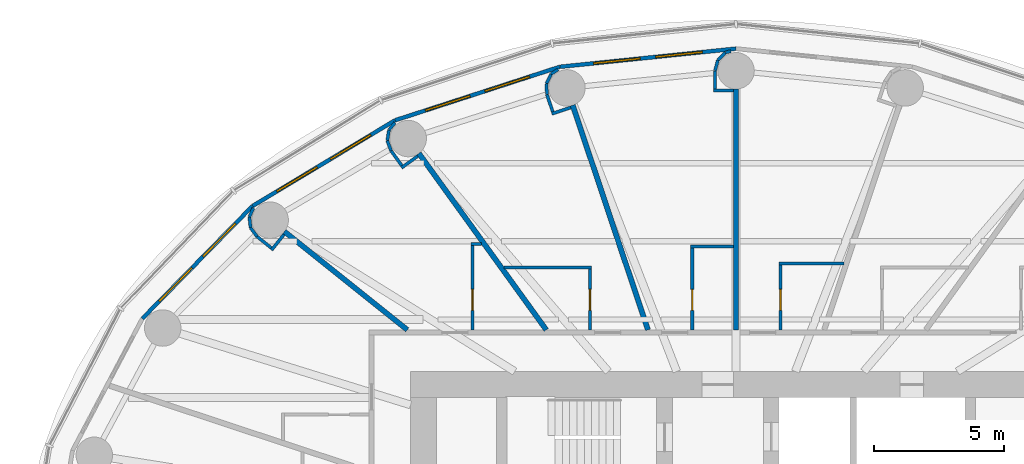
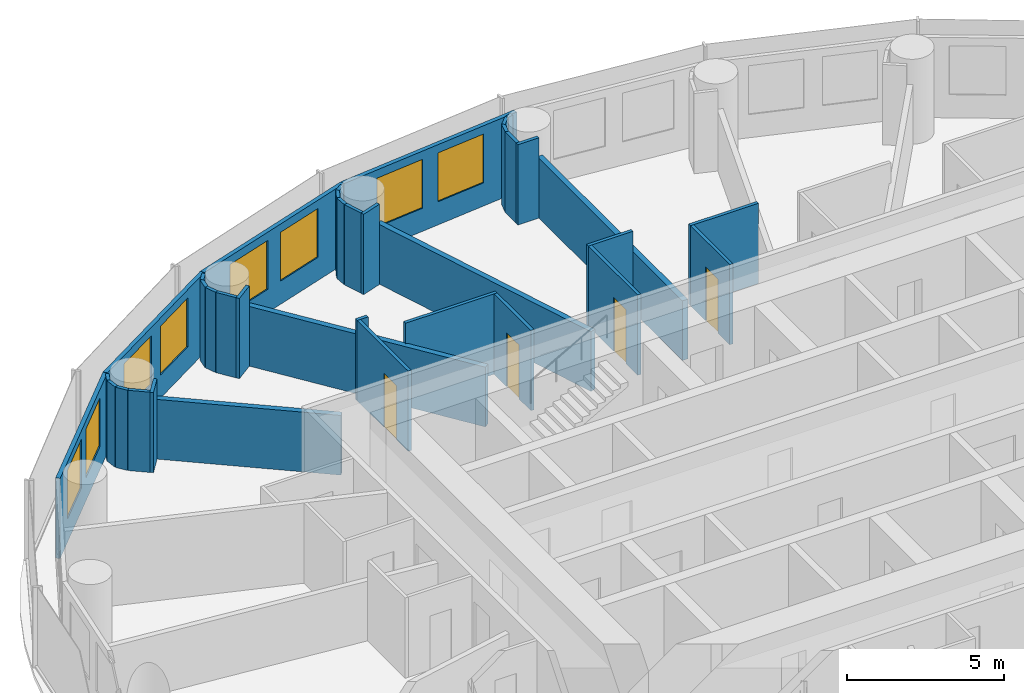
# One storey, part 11 of 13: 36 walls, 8 windows, 4 doors, 12 openings.
"""IFC4 building model written with IfcOpenShell, lengths in metres."""

from ifc_helpers import new_model, si_unit, direction, frame, frame_2d, origin, place, context, subcontext, project, spatial, rectangle, extrude, material, layer, layer_set, type_object, element, fill, save


model = new_model("IFC4")

# Units and contexts
model_context = context("Model", 3, precision=1e-05, world=origin(), true_north=direction((0.0, 1.0)))
body_context = subcontext(model_context, "Body", "Model", "MODEL_VIEW")
ifc_project = project(units=[si_unit("LENGTHUNIT", "METRE"), si_unit("AREAUNIT", "SQUARE_METRE"), si_unit("VOLUMEUNIT", "CUBIC_METRE"), si_unit("PLANEANGLEUNIT", "RADIAN"), si_unit("MASSUNIT", "GRAM", prefix="KILO")], contexts=[model_context])

# Site, building, storey
site_placement = place(None, origin())
site = spatial("IfcSite", under=ifc_project, at=site_placement, CompositionType="ELEMENT")
building_placement = place(site_placement, origin())
building = spatial("IfcBuilding", under=site, at=building_placement, Name="Hankou Lantern Tower", CompositionType="ELEMENT")
storey_placement = place(building_placement, frame((0.0, 0.0, 80.39990234375)))
storey = spatial("IfcBuildingStorey", under=building, at=storey_placement, Name="L20", CompositionType="ELEMENT", Elevation=80.39990234375)

# Wall, openings, windows
ifc_material_1 = material(Name="Aluminium spandrel panel on steel studs", Category="steel")
ifc_layer_1 = layer(ifc_material_1, 0.14990234375)
ifc_layer_set_1 = layer_set([ifc_layer_1], Name="Aluminium spandrel panel on steel studs")
wall_type_1 = type_object("IfcWallType", Name="EW1 INNER SKIN WALL 150", PredefinedType="ELEMENTEDWALL", material=ifc_layer_set_1)
wall_1_placement = place(storey_placement, frame((0.0, 20.89990234375, 0.0), z_axis=(0.0, 0.0, 1.0), x_axis=(-0.994721394369, -0.102612609291, 0.0)))
wall_1 = element("IfcWall", 1, at=wall_1_placement, inside=storey, type_object=wall_type_1, Name="Inner skin R07-R08 L20", PredefinedType="ELEMENTEDWALL", context=body_context, shape_type="SweptSolid", body=[
    extrude(rectangle(XDim=6.80224609375, YDim=0.14990234375, at=frame_2d((3.401123046875, 0.0))), origin(), (0.0, 0.0, 1.0), 3.1201171875),
])
opening_1_placement = place(wall_1_placement, frame((1.301025390625, 0.0, 0.89990234375)))
opening_1 = element("IfcOpeningElement", 2, at=opening_1_placement, cuts=wall_1, Name="Opening W1", PredefinedType="OPENING", context=body_context, shape_type="SweptSolid", body=[
    extrude(rectangle(XDim=1.800048828125, YDim=1.89990234375, at=frame_2d((0.89990234375, 0.949951171875))), frame((0.0, 0.0849609375, 0.0), z_axis=(0.0, -1.0, 0.0), x_axis=(1.0, 0.0, 0.0)), (0.0, 0.0, 1.0), 0.169921875),
])
opening_2_placement = place(wall_1_placement, frame((3.701171875, 0.0, 0.89990234375)))
opening_2 = element("IfcOpeningElement", 3, at=opening_2_placement, cuts=wall_1, Name="Opening W1", PredefinedType="OPENING", context=body_context, shape_type="SweptSolid", body=[
    extrude(rectangle(XDim=1.800048828125, YDim=1.89990234375, at=frame_2d((0.89990234375, 0.949951171875))), frame((0.0, 0.0849609375, 0.0), z_axis=(0.0, -1.0, 0.0), x_axis=(1.0, 0.0, 0.0)), (0.0, 0.0, 1.0), 0.169921875),
])
ifc_material_2 = material(Name="Aluminium framed double glazed window", Category="aluminium")
window_type = type_object("IfcWindowType", Name="W1 GUEST ROOM WINDOW 1800X1900", PartitioningType="DOUBLE_PANEL_VERTICAL", PredefinedType="WINDOW", material=ifc_material_2)
window_1_placement = place(opening_1_placement, origin())
window_1 = element("IfcWindow", 4, at=window_1_placement, inside=storey, type_object=window_type, Name="Window R07.1 L20", OverallHeight=1.89990234375, OverallWidth=1.800048828125, PartitioningType="SINGLE_PANEL", PredefinedType="WINDOW", context=body_context, shape_type="SweptSolid", body=[
    extrude(rectangle(XDim=1.800048828125, YDim=1.89990234375, at=frame_2d((0.89990234375, 0.949951171875))), frame((0.0, 0.030029296875, 0.0), z_axis=(0.0, -1.0, 0.0), x_axis=(1.0, 0.0, 0.0)), (0.0, 0.0, 1.0), 0.06005859375),
])
fill(opening_1, window_1)
window_2_placement = place(opening_2_placement, origin())
window_2 = element("IfcWindow", 5, at=window_2_placement, inside=storey, type_object=window_type, Name="Window R07.2 L20", OverallHeight=1.89990234375, OverallWidth=1.800048828125, PartitioningType="SINGLE_PANEL", PredefinedType="WINDOW", context=body_context, shape_type="SweptSolid", body=[
    extrude(rectangle(XDim=1.800048828125, YDim=1.89990234375, at=frame_2d((0.89990234375, 0.949951171875))), frame((0.0, 0.030029296875, 0.0), z_axis=(0.0, -1.0, 0.0), x_axis=(1.0, 0.0, 0.0)), (0.0, 0.0, 1.0), 0.06005859375),
])
fill(opening_2, window_2)

wall_2_placement = place(storey_placement, frame((-6.766357421875, 20.201904296875, 0.0), z_axis=(0.0, 0.0, 1.0), x_axis=(-0.951137534625, -0.308767534285, 0.0)))
wall_2 = element("IfcWall", 6, at=wall_2_placement, inside=storey, type_object=wall_type_1, Name="Inner skin R08-R09 L20", PredefinedType="ELEMENTEDWALL", context=body_context, shape_type="SweptSolid", body=[
    extrude(rectangle(XDim=6.6552734375, YDim=0.14990234375, at=frame_2d((3.32763671875, 0.0))), origin(), (0.0, 0.0, 1.0), 3.1201171875),
])
opening_3_placement = place(wall_2_placement, frame((1.2275390625, 0.0, 0.89990234375)))
opening_3 = element("IfcOpeningElement", 7, at=opening_3_placement, cuts=wall_2, Name="Opening W1", PredefinedType="OPENING", context=body_context, shape_type="SweptSolid", body=[
    extrude(rectangle(XDim=1.800048828125, YDim=1.89990234375, at=frame_2d((0.89990234375, 0.949951171875))), frame((0.0, 0.0849609375, 0.0), z_axis=(0.0, -1.0, 0.0), x_axis=(1.0, 0.0, 0.0)), (0.0, 0.0, 1.0), 0.169921875),
])
opening_4_placement = place(wall_2_placement, frame((3.627685546875, 0.0, 0.89990234375)))
opening_4 = element("IfcOpeningElement", 8, at=opening_4_placement, cuts=wall_2, Name="Opening W1", PredefinedType="OPENING", context=body_context, shape_type="SweptSolid", body=[
    extrude(rectangle(XDim=1.800048828125, YDim=1.89990234375, at=frame_2d((0.89990234375, 0.949951171875))), frame((0.0, 0.0849609375, 0.0), z_axis=(0.0, -1.0, 0.0), x_axis=(1.0, 0.0, 0.0)), (0.0, 0.0, 1.0), 0.169921875),
])
window_3_placement = place(opening_3_placement, origin())
window_3 = element("IfcWindow", 9, at=window_3_placement, inside=storey, type_object=window_type, Name="Window R08.1 L20", OverallHeight=1.89990234375, OverallWidth=1.800048828125, PartitioningType="SINGLE_PANEL", PredefinedType="WINDOW", context=body_context, shape_type="SweptSolid", body=[
    extrude(rectangle(XDim=1.800048828125, YDim=1.89990234375, at=frame_2d((0.89990234375, 0.949951171875))), frame((0.0, 0.030029296875, 0.0), z_axis=(0.0, -1.0, 0.0), x_axis=(1.0, 0.0, 0.0)), (0.0, 0.0, 1.0), 0.06005859375),
])
fill(opening_3, window_3)
window_4_placement = place(opening_4_placement, origin())
window_4 = element("IfcWindow", 10, at=window_4_placement, inside=storey, type_object=window_type, Name="Window R08.2 L20", OverallHeight=1.89990234375, OverallWidth=1.800048828125, PartitioningType="SINGLE_PANEL", PredefinedType="WINDOW", context=body_context, shape_type="SweptSolid", body=[
    extrude(rectangle(XDim=1.800048828125, YDim=1.89990234375, at=frame_2d((0.89990234375, 0.949951171875))), frame((0.0, 0.030029296875, 0.0), z_axis=(0.0, -1.0, 0.0), x_axis=(1.0, 0.0, 0.0)), (0.0, 0.0, 1.0), 0.06005859375),
])
fill(opening_4, window_4)

wall_3_placement = place(storey_placement, frame((-13.096435546875, 18.14697265625, 0.0), z_axis=(0.0, 0.0, 1.0), x_axis=(-0.856983180864, -0.515344377787, 0.0)))
wall_3 = element("IfcWall", 11, at=wall_3_placement, inside=storey, type_object=wall_type_1, Name="Inner skin R09-R10 L20", PredefinedType="ELEMENTEDWALL", context=body_context, shape_type="SweptSolid", body=[
    extrude(rectangle(XDim=6.386474609375, YDim=0.14990234375, at=frame_2d((3.193359375, 0.0))), origin(), (0.0, 0.0, 1.0), 3.1201171875),
])
opening_5_placement = place(wall_3_placement, frame((1.09326171875, 0.0, 0.89990234375)))
opening_5 = element("IfcOpeningElement", 12, at=opening_5_placement, cuts=wall_3, Name="Opening W1", PredefinedType="OPENING", context=body_context, shape_type="SweptSolid", body=[
    extrude(rectangle(XDim=1.800048828125, YDim=1.89990234375, at=frame_2d((0.89990234375, 0.949951171875))), frame((0.0, 0.0849609375, 0.0), z_axis=(0.0, -1.0, 0.0), x_axis=(1.0, 0.0, 0.0)), (0.0, 0.0, 1.0), 0.169921875),
])
opening_6_placement = place(wall_3_placement, frame((3.4931640625, 0.0, 0.89990234375)))
opening_6 = element("IfcOpeningElement", 13, at=opening_6_placement, cuts=wall_3, Name="Opening W1", PredefinedType="OPENING", context=body_context, shape_type="SweptSolid", body=[
    extrude(rectangle(XDim=1.800048828125, YDim=1.89990234375, at=frame_2d((0.89990234375, 0.949951171875))), frame((0.0, 0.0849609375, 0.0), z_axis=(0.0, -1.0, 0.0), x_axis=(1.0, 0.0, 0.0)), (0.0, 0.0, 1.0), 0.169921875),
])
window_5_placement = place(opening_5_placement, origin())
window_5 = element("IfcWindow", 14, at=window_5_placement, inside=storey, type_object=window_type, Name="Window R09.1 L20", OverallHeight=1.89990234375, OverallWidth=1.800048828125, PartitioningType="SINGLE_PANEL", PredefinedType="WINDOW", context=body_context, shape_type="SweptSolid", body=[
    extrude(rectangle(XDim=1.800048828125, YDim=1.89990234375, at=frame_2d((0.89990234375, 0.949951171875))), frame((0.0, 0.030029296875, 0.0), z_axis=(0.0, -1.0, 0.0), x_axis=(1.0, 0.0, 0.0)), (0.0, 0.0, 1.0), 0.06005859375),
])
fill(opening_5, window_5)
window_6_placement = place(opening_6_placement, origin())
window_6 = element("IfcWindow", 15, at=window_6_placement, inside=storey, type_object=window_type, Name="Window R09.2 L20", OverallHeight=1.89990234375, OverallWidth=1.800048828125, PartitioningType="SINGLE_PANEL", PredefinedType="WINDOW", context=body_context, shape_type="SweptSolid", body=[
    extrude(rectangle(XDim=1.800048828125, YDim=1.89990234375, at=frame_2d((0.89990234375, 0.949951171875))), frame((0.0, 0.030029296875, 0.0), z_axis=(0.0, -1.0, 0.0), x_axis=(1.0, 0.0, 0.0)), (0.0, 0.0, 1.0), 0.06005859375),
])
fill(opening_6, window_6)

wall_4_placement = place(storey_placement, frame((-18.569580078125, 14.855712890625, 0.0), z_axis=(0.0, 0.0, 1.0), x_axis=(-0.699602905915, -0.714531856557, 0.0)))
wall_4 = element("IfcWall", 16, at=wall_4_placement, inside=storey, type_object=wall_type_1, Name="Inner skin R10-R11 L20", PredefinedType="ELEMENTEDWALL", context=body_context, shape_type="SweptSolid", body=[
    extrude(rectangle(XDim=6.05078125, YDim=0.14990234375, at=frame_2d((3.025390625, 0.0))), origin(), (0.0, 0.0, 1.0), 3.1201171875),
])
opening_7_placement = place(wall_4_placement, frame((0.925537109375, 0.0, 0.89990234375)))
opening_7 = element("IfcOpeningElement", 17, at=opening_7_placement, cuts=wall_4, Name="Opening W1", PredefinedType="OPENING", context=body_context, shape_type="SweptSolid", body=[
    extrude(rectangle(XDim=1.800048828125, YDim=1.89990234375, at=frame_2d((0.89990234375, 0.949951171875))), frame((0.0, 0.0849609375, 0.0), z_axis=(0.0, -1.0, 0.0), x_axis=(1.0, 0.0, 0.0)), (0.0, 0.0, 1.0), 0.169921875),
])
opening_8_placement = place(wall_4_placement, frame((3.325439453125, 0.0, 0.89990234375)))
opening_8 = element("IfcOpeningElement", 18, at=opening_8_placement, cuts=wall_4, Name="Opening W1", PredefinedType="OPENING", context=body_context, shape_type="SweptSolid", body=[
    extrude(rectangle(XDim=1.800048828125, YDim=1.89990234375, at=frame_2d((0.89990234375, 0.949951171875))), frame((0.0, 0.0849609375, 0.0), z_axis=(0.0, -1.0, 0.0), x_axis=(1.0, 0.0, 0.0)), (0.0, 0.0, 1.0), 0.169921875),
])
window_7_placement = place(opening_7_placement, origin())
window_7 = element("IfcWindow", 19, at=window_7_placement, inside=storey, type_object=window_type, Name="Window R10.1 L20", OverallHeight=1.89990234375, OverallWidth=1.800048828125, PartitioningType="SINGLE_PANEL", PredefinedType="WINDOW", context=body_context, shape_type="SweptSolid", body=[
    extrude(rectangle(XDim=1.800048828125, YDim=1.89990234375, at=frame_2d((0.89990234375, 0.949951171875))), frame((0.0, 0.030029296875, 0.0), z_axis=(0.0, -1.0, 0.0), x_axis=(1.0, 0.0, 0.0)), (0.0, 0.0, 1.0), 0.06005859375),
])
fill(opening_7, window_7)
window_8_placement = place(opening_8_placement, origin())
window_8 = element("IfcWindow", 20, at=window_8_placement, inside=storey, type_object=window_type, Name="Window R10.2 L20", OverallHeight=1.89990234375, OverallWidth=1.800048828125, PartitioningType="SINGLE_PANEL", PredefinedType="WINDOW", context=body_context, shape_type="SweptSolid", body=[
    extrude(rectangle(XDim=1.800048828125, YDim=1.89990234375, at=frame_2d((0.89990234375, 0.949951171875))), frame((0.0, 0.030029296875, 0.0), z_axis=(0.0, -1.0, 0.0), x_axis=(1.0, 0.0, 0.0)), (0.0, 0.0, 1.0), 0.06005859375),
])
fill(opening_8, window_8)

# Walls
ifc_material_3 = material(Name="Masonry lightweight concrete block", Category="masonry")
ifc_layer_2 = layer(ifc_material_3, 0.199951171875)
ifc_layer_set_2 = layer_set([ifc_layer_2], Name="Masonry lightweight concrete block")
wall_type_2 = type_object("IfcWallType", Name="IW1 GUEST ROOM PARTY WALL 200", PredefinedType="PARTITIONING", material=ifc_layer_set_2)
wall_5_placement = place(storey_placement, frame((0.0, 10.10009765625, 0.0), z_axis=(0.0, 0.0, 1.0), x_axis=(0.0, 1.0, 0.0)))
element("IfcWall", 21, at=wall_5_placement, inside=storey, type_object=wall_type_2, Name="Party wall R07", PredefinedType="PARTITIONING", context=body_context, shape_type="SweptSolid", body=[
    extrude(rectangle(XDim=9.25, YDim=0.199951171875, at=frame_2d((4.625, 0.0))), origin(), (0.0, 0.0, 1.0), 2.320068359375),
])
wall_6_placement = place(storey_placement, frame((-3.3828125, 10.10009765625, 0.0), z_axis=(0.0, 0.0, 1.0), x_axis=(-0.31759592231, 0.948226149256, 0.0)))
element("IfcWall", 22, at=wall_6_placement, inside=storey, type_object=wall_type_2, Name="Party wall R08", PredefinedType="PARTITIONING", context=body_context, shape_type="SweptSolid", body=[
    extrude(rectangle(XDim=9.098388671875, YDim=0.199951171875, at=frame_2d((4.54931640625, 0.0))), origin(), (0.0, 0.0, 1.0), 2.320068359375),
])
wall_7_placement = place(storey_placement, frame((-7.2890625, 10.10009765625, 0.0), z_axis=(0.0, 0.0, 1.0), x_axis=(-0.585198353053, 0.810890182197, 0.0)))
element("IfcWall", 23, at=wall_7_placement, inside=storey, type_object=wall_type_2, Name="Party wall R09", PredefinedType="PARTITIONING", context=body_context, shape_type="SweptSolid", body=[
    extrude(rectangle(XDim=8.359619140625, YDim=0.199951171875, at=frame_2d((4.1796875, 0.0))), origin(), (0.0, 0.0, 1.0), 2.320068359375),
])
wall_8_placement = place(storey_placement, frame((-12.625, 10.10009765625, 0.0), z_axis=(0.0, 0.0, 1.0), x_axis=(-0.780892451574, 0.624665493744, 0.0)))
element("IfcWall", 24, at=wall_8_placement, inside=storey, type_object=wall_type_2, Name="Party wall R10", PredefinedType="PARTITIONING", context=body_context, shape_type="SweptSolid", body=[
    extrude(rectangle(XDim=6.044677734375, YDim=0.199951171875, at=frame_2d((3.0224609375, 0.0))), origin(), (0.0, 0.0, 1.0), 2.320068359375),
])
ifc_material_4 = material(Name="Masonry lightweight concrete block", Category="masonry")
ifc_layer_3 = layer(ifc_material_4, 0.1201171875)
ifc_layer_set_3 = layer_set([ifc_layer_3], Name="Masonry lightweight concrete block")
wall_type_3 = type_object("IfcWallType", Name="IW3 BATHROOM WALL 120", PredefinedType="PARTITIONING", material=ifc_layer_set_3)
wall_9_placement = place(storey_placement, frame((4.136962890625, 12.64990234375, 0.0), z_axis=(0.0, 0.0, 1.0), x_axis=(-1.0, 0.0, 0.0)))
element("IfcWall", 25, at=wall_9_placement, inside=storey, type_object=wall_type_3, Name="Box wall 2013 1", PredefinedType="PARTITIONING", context=body_context, shape_type="SweptSolid", body=[
    extrude(rectangle(XDim=2.494140625, YDim=0.1201171875, at=frame_2d((1.2470703125, 0.0))), origin(), (0.0, 0.0, 1.0), 3.1201171875),
])

# Wall, opening, door
wall_10_placement = place(storey_placement, frame((1.702880859375, 10.10009765625, 0.0), z_axis=(0.0, 0.0, 1.0), x_axis=(0.0, 1.0, 0.0)))
wall_10 = element("IfcWall", 26, at=wall_10_placement, inside=storey, type_object=wall_type_3, Name="Box wall 2013 1", PredefinedType="PARTITIONING", context=body_context, shape_type="SweptSolid", body=[
    extrude(rectangle(XDim=2.489990234375, YDim=0.1201171875, at=frame_2d((1.2451171875, 0.0))), origin(), (0.0, 0.0, 1.0), 3.1201171875),
])
opening_9_placement = place(wall_10_placement, frame((0.75, 0.0, 0.0)))
opening_9 = element("IfcOpeningElement", 27, at=opening_9_placement, cuts=wall_10, Name="Opening D3", PredefinedType="OPENING", context=body_context, shape_type="SweptSolid", body=[
    extrude(rectangle(XDim=0.800048828125, YDim=2.10009765625, at=frame_2d((0.39990234375, 1.050048828125))), frame((0.0, 0.070068359375, 0.0), z_axis=(0.0, -1.0, 0.0), x_axis=(1.0, 0.0, 0.0)), (0.0, 0.0, 1.0), 0.14013671875),
])
ifc_material_5 = material(Name="Timber door leaf", Category="wood")
door_type = type_object("IfcDoorType", Name="D3 BATHROOM DOOR 800X2100", OperationType="SINGLE_SWING_LEFT", PredefinedType="DOOR", material=ifc_material_5)
door_1_placement = place(opening_9_placement, origin())
door_1 = element("IfcDoor", 28, at=door_1_placement, inside=storey, type_object=door_type, Name="En-suite bathroom 2013 door", OperationType="SINGLE_SWING_LEFT", OverallHeight=2.10009765625, OverallWidth=0.800048828125, PredefinedType="DOOR", context=body_context, shape_type="SweptSolid", body=[
    extrude(rectangle(XDim=0.800048828125, YDim=2.10009765625, at=frame_2d((0.39990234375, 1.050048828125))), frame((0.0, 0.02490234375, 0.0), z_axis=(0.0, -1.0, 0.0), x_axis=(1.0, 0.0, 0.0)), (0.0, 0.0, 1.0), 0.050048828125),
])
fill(opening_9, door_1)

# Wall
wall_11_placement = place(storey_placement, frame((-0.10009765625, 13.300048828125, 0.0), z_axis=(0.0, 0.0, 1.0), x_axis=(-1.0, 0.0, 0.0)))
element("IfcWall", 29, at=wall_11_placement, inside=storey, type_object=wall_type_3, Name="Box wall 2014 1", PredefinedType="PARTITIONING", context=body_context, shape_type="SweptSolid", body=[
    extrude(rectangle(XDim=1.639892578125, YDim=0.1201171875, at=frame_2d((0.81982421875, 0.0))), origin(), (0.0, 0.0, 1.0), 3.1201171875),
])

# Wall, opening, door
wall_12_placement = place(storey_placement, frame((-1.679931640625, 10.10009765625, 0.0), z_axis=(0.0, 0.0, 1.0), x_axis=(0.0, 1.0, 0.0)))
wall_12 = element("IfcWall", 30, at=wall_12_placement, inside=storey, type_object=wall_type_3, Name="Box wall 2014 1", PredefinedType="PARTITIONING", context=body_context, shape_type="SweptSolid", body=[
    extrude(rectangle(XDim=3.139892578125, YDim=0.1201171875, at=frame_2d((1.56982421875, 0.0))), origin(), (0.0, 0.0, 1.0), 3.1201171875),
])
opening_10_placement = place(wall_12_placement, frame((0.75, 0.0, 0.0)))
opening_10 = element("IfcOpeningElement", 31, at=opening_10_placement, cuts=wall_12, Name="Opening D3", PredefinedType="OPENING", context=body_context, shape_type="SweptSolid", body=[
    extrude(rectangle(XDim=0.800048828125, YDim=2.10009765625, at=frame_2d((0.39990234375, 1.050048828125))), frame((0.0, 0.070068359375, 0.0), z_axis=(0.0, -1.0, 0.0), x_axis=(1.0, 0.0, 0.0)), (0.0, 0.0, 1.0), 0.14013671875),
])
door_2_placement = place(opening_10_placement, origin())
door_2 = element("IfcDoor", 32, at=door_2_placement, inside=storey, type_object=door_type, Name="En-suite bathroom 2014 door", OperationType="SINGLE_SWING_LEFT", OverallHeight=2.10009765625, OverallWidth=0.800048828125, PredefinedType="DOOR", context=body_context, shape_type="SweptSolid", body=[
    extrude(rectangle(XDim=0.800048828125, YDim=2.10009765625, at=frame_2d((0.39990234375, 1.050048828125))), frame((0.0, 0.02490234375, 0.0), z_axis=(0.0, -1.0, 0.0), x_axis=(1.0, 0.0, 0.0)), (0.0, 0.0, 1.0), 0.050048828125),
])
fill(opening_10, door_2)

# Wall
wall_13_placement = place(storey_placement, frame((-8.921142578125, 12.5, 0.0), z_axis=(0.0, 0.0, 1.0), x_axis=(1.0, 0.0, 0.0)))
element("IfcWall", 33, at=wall_13_placement, inside=storey, type_object=wall_type_3, Name="Box wall 2015 1", PredefinedType="PARTITIONING", context=body_context, shape_type="SweptSolid", body=[
    extrude(rectangle(XDim=3.3720703125, YDim=0.1201171875, at=frame_2d((1.68603515625, 0.0))), origin(), (0.0, 0.0, 1.0), 3.1201171875),
])

# Wall, opening, door
wall_14_placement = place(storey_placement, frame((-5.609130859375, 10.10009765625, 0.0), z_axis=(0.0, 0.0, 1.0), x_axis=(0.0, 1.0, 0.0)))
wall_14 = element("IfcWall", 34, at=wall_14_placement, inside=storey, type_object=wall_type_3, Name="Box wall 2015 1", PredefinedType="PARTITIONING", context=body_context, shape_type="SweptSolid", body=[
    extrude(rectangle(XDim=2.33984375, YDim=0.1201171875, at=frame_2d((1.169921875, 0.0))), origin(), (0.0, 0.0, 1.0), 3.1201171875),
])
opening_11_placement = place(wall_14_placement, frame((0.75, 0.0, 0.0)))
opening_11 = element("IfcOpeningElement", 35, at=opening_11_placement, cuts=wall_14, Name="Opening D3", PredefinedType="OPENING", context=body_context, shape_type="SweptSolid", body=[
    extrude(rectangle(XDim=0.800048828125, YDim=2.10009765625, at=frame_2d((0.39990234375, 1.050048828125))), frame((0.0, 0.070068359375, 0.0), z_axis=(0.0, -1.0, 0.0), x_axis=(1.0, 0.0, 0.0)), (0.0, 0.0, 1.0), 0.14013671875),
])
door_3_placement = place(opening_11_placement, origin())
door_3 = element("IfcDoor", 36, at=door_3_placement, inside=storey, type_object=door_type, Name="En-suite bathroom 2015 door", OperationType="SINGLE_SWING_LEFT", OverallHeight=2.10009765625, OverallWidth=0.800048828125, PredefinedType="DOOR", context=body_context, shape_type="SweptSolid", body=[
    extrude(rectangle(XDim=0.800048828125, YDim=2.10009765625, at=frame_2d((0.39990234375, 1.050048828125))), frame((0.0, 0.02490234375, 0.0), z_axis=(0.0, -1.0, 0.0), x_axis=(1.0, 0.0, 0.0)), (0.0, 0.0, 1.0), 0.050048828125),
])
fill(opening_11, door_3)

# Wall
wall_15_placement = place(storey_placement, frame((-9.7705078125, 13.39990234375, 0.0), z_axis=(0.0, 0.0, 1.0), x_axis=(-1.0, 0.0, 0.0)))
element("IfcWall", 37, at=wall_15_placement, inside=storey, type_object=wall_type_3, Name="Box wall 2016 1", PredefinedType="PARTITIONING", context=body_context, shape_type="SweptSolid", body=[
    extrude(rectangle(XDim=0.408447265625, YDim=0.1201171875, at=frame_2d((0.2041015625, 0.0))), origin(), (0.0, 0.0, 1.0), 3.1201171875),
])

# Wall, opening, door
wall_16_placement = place(storey_placement, frame((-10.119140625, 10.10009765625, 0.0), z_axis=(0.0, 0.0, 1.0), x_axis=(0.0, 1.0, 0.0)))
wall_16 = element("IfcWall", 38, at=wall_16_placement, inside=storey, type_object=wall_type_3, Name="Box wall 2016 1", PredefinedType="PARTITIONING", context=body_context, shape_type="SweptSolid", body=[
    extrude(rectangle(XDim=3.239990234375, YDim=0.1201171875, at=frame_2d((1.6201171875, 0.0))), origin(), (0.0, 0.0, 1.0), 3.1201171875),
])
opening_12_placement = place(wall_16_placement, frame((0.75, 0.0, 0.0)))
opening_12 = element("IfcOpeningElement", 39, at=opening_12_placement, cuts=wall_16, Name="Opening D3", PredefinedType="OPENING", context=body_context, shape_type="SweptSolid", body=[
    extrude(rectangle(XDim=0.800048828125, YDim=2.10009765625, at=frame_2d((0.39990234375, 1.050048828125))), frame((0.0, 0.070068359375, 0.0), z_axis=(0.0, -1.0, 0.0), x_axis=(1.0, 0.0, 0.0)), (0.0, 0.0, 1.0), 0.14013671875),
])
door_4_placement = place(opening_12_placement, origin())
door_4 = element("IfcDoor", 40, at=door_4_placement, inside=storey, type_object=door_type, Name="En-suite bathroom 2016 door", OperationType="SINGLE_SWING_LEFT", OverallHeight=2.10009765625, OverallWidth=0.800048828125, PredefinedType="DOOR", context=body_context, shape_type="SweptSolid", body=[
    extrude(rectangle(XDim=0.800048828125, YDim=2.10009765625, at=frame_2d((0.39990234375, 1.050048828125))), frame((0.0, 0.02490234375, 0.0), z_axis=(0.0, -1.0, 0.0), x_axis=(1.0, 0.0, 0.0)), (0.0, 0.0, 1.0), 0.050048828125),
])
fill(opening_12, door_4)

# Walls
ifc_material_6 = material(Name="Masonry lightweight concrete block", Category="masonry")
ifc_layer_4 = layer(ifc_material_6, 0.1201171875)
ifc_layer_set_4 = layer_set([ifc_layer_4], Name="Masonry lightweight concrete block")
wall_type_4 = type_object("IfcWallType", Name="IW4 PARTITION 120", PredefinedType="PARTITIONING", material=ifc_layer_set_4)
wall_17_placement = place(storey_placement, frame((-0.10009765625, 19.2900390625, 0.0), z_axis=(0.0, 0.0, 1.0), x_axis=(-1.0, 0.0, 0.0)))
element("IfcWall", 41, at=wall_17_placement, inside=storey, type_object=wall_type_4, Name="Column casing R07 return", PredefinedType="PARTITIONING", context=body_context, shape_type="SweptSolid", body=[
    extrude(rectangle(XDim=0.767333984375, YDim=0.1201171875, at=frame_2d((0.3837890625, 0.0))), origin(), (0.0, 0.0, 1.0), 3.1201171875),
])
wall_18_placement = place(storey_placement, frame((-0.8076171875, 19.35009765625, 0.0), z_axis=(0.0, 0.0, 1.0), x_axis=(0.0, 1.0, 0.0)))
element("IfcWall", 42, at=wall_18_placement, inside=storey, type_object=wall_type_4, Name="Column casing R07", PredefinedType="PARTITIONING", context=body_context, shape_type="SweptSolid", body=[
    extrude(rectangle(XDim=0.699951171875, YDim=0.1201171875, at=frame_2d((0.35009765625, 0.0))), origin(), (0.0, 0.0, 1.0), 3.1201171875),
])
wall_19_placement = place(storey_placement, frame((-0.8076171875, 20.050048828125, 0.0), z_axis=(0.0, 0.0, 1.0), x_axis=(0.2592614205, 0.965807183573, 0.0)))
element("IfcWall", 43, at=wall_19_placement, inside=storey, type_object=wall_type_4, Name="Column casing R07", PredefinedType="PARTITIONING", context=body_context, shape_type="SweptSolid", body=[
    extrude(rectangle(XDim=0.418212890625, YDim=0.1201171875, at=frame_2d((0.208984375, 0.0))), origin(), (0.0, 0.0, 1.0), 3.1201171875),
])
wall_20_placement = place(storey_placement, frame((-0.69921875, 20.453857421875, 0.0), z_axis=(0.0, 0.0, 1.0), x_axis=(0.707106781187, 0.707106781187, 0.0)))
element("IfcWall", 44, at=wall_20_placement, inside=storey, type_object=wall_type_4, Name="Column casing R07", PredefinedType="PARTITIONING", context=body_context, shape_type="SweptSolid", body=[
    extrude(rectangle(XDim=0.417724609375, YDim=0.1201171875, at=frame_2d((0.208984375, 0.0))), origin(), (0.0, 0.0, 1.0), 3.1201171875),
])
wall_21_placement = place(storey_placement, frame((-0.40380859375, 20.749267578125, 0.0), z_axis=(0.0, 0.0, 1.0), x_axis=(0.965759066438, 0.25944060128, 0.0)))
element("IfcWall", 45, at=wall_21_placement, inside=storey, type_object=wall_type_4, Name="Column casing R07", PredefinedType="PARTITIONING", context=body_context, shape_type="SweptSolid", body=[
    extrude(rectangle(XDim=0.213623046875, YDim=0.1201171875, at=frame_2d((0.10693359375, 0.0))), origin(), (0.0, 0.0, 1.0), 3.1201171875),
])
wall_22_placement = place(storey_placement, frame((-6.348388671875, 18.638916015625, 0.0), z_axis=(0.0, 0.0, 1.0), x_axis=(-0.948268951266, -0.317468102437, 0.0)))
element("IfcWall", 46, at=wall_22_placement, inside=storey, type_object=wall_type_4, Name="Column casing R08 return", PredefinedType="PARTITIONING", context=body_context, shape_type="SweptSolid", body=[
    extrude(rectangle(XDim=0.767578125, YDim=0.1201171875, at=frame_2d((0.3837890625, 0.0))), origin(), (0.0, 0.0, 1.0), 3.1201171875),
])
wall_23_placement = place(storey_placement, frame((-7.038330078125, 18.47119140625, 0.0), z_axis=(0.0, 0.0, 1.0), x_axis=(-0.317378466199, 0.9482989556, 0.0)))
element("IfcWall", 47, at=wall_23_placement, inside=storey, type_object=wall_type_4, Name="Column casing R08", PredefinedType="PARTITIONING", context=body_context, shape_type="SweptSolid", body=[
    extrude(rectangle(XDim=0.699951171875, YDim=0.1201171875, at=frame_2d((0.35009765625, 0.0))), origin(), (0.0, 0.0, 1.0), 3.1201171875),
])
wall_24_placement = place(storey_placement, frame((-7.260498046875, 19.135009765625, 0.0), z_axis=(0.0, 0.0, 1.0), x_axis=(-0.0613238046, 0.99811792439, 0.0)))
element("IfcWall", 48, at=wall_24_placement, inside=storey, type_object=wall_type_4, Name="Column casing R08", PredefinedType="PARTITIONING", context=body_context, shape_type="SweptSolid", body=[
    extrude(rectangle(XDim=0.41796875, YDim=0.1201171875, at=frame_2d((0.208984375, 0.0))), origin(), (0.0, 0.0, 1.0), 3.1201171875),
])
wall_25_placement = place(storey_placement, frame((-7.2861328125, 19.55224609375, 0.0), z_axis=(0.0, 0.0, 1.0), x_axis=(0.445810757773, 0.89512723579, 0.0)))
element("IfcWall", 49, at=wall_25_placement, inside=storey, type_object=wall_type_4, Name="Column casing R08", PredefinedType="PARTITIONING", context=body_context, shape_type="SweptSolid", body=[
    extrude(rectangle(XDim=0.417724609375, YDim=0.1201171875, at=frame_2d((0.208984375, 0.0))), origin(), (0.0, 0.0, 1.0), 3.1201171875),
])
wall_26_placement = place(storey_placement, frame((-7.099853515625, 19.92626953125, 0.0), z_axis=(0.0, 0.0, 1.0), x_axis=(0.833488262509, 0.552537162787, 0.0)))
element("IfcWall", 50, at=wall_26_placement, inside=storey, type_object=wall_type_4, Name="Column casing R08", PredefinedType="PARTITIONING", context=body_context, shape_type="SweptSolid", body=[
    extrude(rectangle(XDim=0.312744140625, YDim=0.1201171875, at=frame_2d((0.15625, 0.0))), origin(), (0.0, 0.0, 1.0), 3.1201171875),
])
wall_27_placement = place(storey_placement, frame((-12.227294921875, 16.771728515625, 0.0), z_axis=(0.0, 0.0, 1.0), x_axis=(-0.810821798253, -0.585293098778, 0.0)))
element("IfcWall", 51, at=wall_27_placement, inside=storey, type_object=wall_type_4, Name="Column casing R09 return", PredefinedType="PARTITIONING", context=body_context, shape_type="SweptSolid", body=[
    extrude(rectangle(XDim=0.767578125, YDim=0.1201171875, at=frame_2d((0.3837890625, 0.0))), origin(), (0.0, 0.0, 1.0), 3.1201171875),
])
wall_28_placement = place(storey_placement, frame((-12.8359375, 16.40625, 0.0), z_axis=(0.0, 0.0, 1.0), x_axis=(-0.585223113993, 0.810872312296, 0.0)))
element("IfcWall", 52, at=wall_28_placement, inside=storey, type_object=wall_type_4, Name="Column casing R09", PredefinedType="PARTITIONING", context=body_context, shape_type="SweptSolid", body=[
    extrude(rectangle(XDim=0.699951171875, YDim=0.1201171875, at=frame_2d((0.35009765625, 0.0))), origin(), (0.0, 0.0, 1.0), 3.1201171875),
])
wall_29_placement = place(storey_placement, frame((-13.24560546875, 16.973876953125, 0.0), z_axis=(0.0, 0.0, 1.0), x_axis=(-0.355728122235, 0.934589483705, 0.0)))
element("IfcWall", 53, at=wall_29_placement, inside=storey, type_object=wall_type_4, Name="Column casing R09", PredefinedType="PARTITIONING", context=body_context, shape_type="SweptSolid", body=[
    extrude(rectangle(XDim=0.41796875, YDim=0.1201171875, at=frame_2d((0.208984375, 0.0))), origin(), (0.0, 0.0, 1.0), 3.1201171875),
])
wall_30_placement = place(storey_placement, frame((-13.394287109375, 17.364501953125, 0.0), z_axis=(0.0, 0.0, 1.0), x_axis=(0.159379276926, 0.987217425943, 0.0)))
element("IfcWall", 54, at=wall_30_placement, inside=storey, type_object=wall_type_4, Name="Column casing R09", PredefinedType="PARTITIONING", context=body_context, shape_type="SweptSolid", body=[
    extrude(rectangle(XDim=0.418212890625, YDim=0.1201171875, at=frame_2d((0.208984375, 0.0))), origin(), (0.0, 0.0, 1.0), 3.1201171875),
])
wall_31_placement = place(storey_placement, frame((-13.32763671875, 17.77734375, 0.0), z_axis=(0.0, 0.0, 1.0), x_axis=(0.632276783541, 0.774742582407, 0.0)))
element("IfcWall", 55, at=wall_31_placement, inside=storey, type_object=wall_type_4, Name="Column casing R09", PredefinedType="PARTITIONING", context=body_context, shape_type="SweptSolid", body=[
    extrude(rectangle(XDim=0.35986328125, YDim=0.1201171875, at=frame_2d((0.179931640625, 0.0))), origin(), (0.0, 0.0, 1.0), 3.1201171875),
])
wall_32_placement = place(storey_placement, frame((-17.36083984375, 13.760498046875, 0.0), z_axis=(0.0, 0.0, 1.0), x_axis=(-0.624501042889, -0.781023973659, 0.0)))
element("IfcWall", 56, at=wall_32_placement, inside=storey, type_object=wall_type_4, Name="Column casing R10 return", PredefinedType="PARTITIONING", context=body_context, shape_type="SweptSolid", body=[
    extrude(rectangle(XDim=0.767333984375, YDim=0.1201171875, at=frame_2d((0.3837890625, 0.0))), origin(), (0.0, 0.0, 1.0), 3.1201171875),
])
wall_33_placement = place(storey_placement, frame((-17.849609375, 13.24560546875, 0.0), z_axis=(0.0, 0.0, 1.0), x_axis=(-0.780902834923, 0.62465251333, 0.0)))
element("IfcWall", 57, at=wall_33_placement, inside=storey, type_object=wall_type_4, Name="Column casing R10", PredefinedType="PARTITIONING", context=body_context, shape_type="SweptSolid", body=[
    extrude(rectangle(XDim=0.699951171875, YDim=0.1201171875, at=frame_2d((0.35009765625, 0.0))), origin(), (0.0, 0.0, 1.0), 3.1201171875),
])
for number, where, z_axis, x_axis, name in (
    (58, (-18.396240234375, 13.682861328125, 0.0), (0.0, 0.0, 1.0), (-0.592401603461, 0.805642811807, 0.0), "Column casing R10"),
    (59, (-18.643798828125, 14.01953125, 0.0), (0.0, 0.0, 1.0), (-0.110367433259, 0.993890854006, 0.0), "Column casing R10"),
):
    element("IfcWall", number, at=place(storey_placement, frame(where, z_axis=z_axis, x_axis=x_axis)), inside=storey, type_object=wall_type_4, Name=name, PredefinedType="PARTITIONING", context=body_context, shape_type="SweptSolid", body=[
        extrude(rectangle(XDim=0.41796875, YDim=0.1201171875, at=frame_2d((0.208984375, 0.0))), origin(), (0.0, 0.0, 1.0), 3.1201171875),
    ])
wall_34_placement = place(storey_placement, frame((-18.68994140625, 14.43505859375, 0.0), z_axis=(0.0, 0.0, 1.0), x_axis=(0.401093412634, 0.91603715773, 0.0)))
element("IfcWall", 60, at=wall_34_placement, inside=storey, type_object=wall_type_4, Name="Column casing R10", PredefinedType="PARTITIONING", context=body_context, shape_type="SweptSolid", body=[
    extrude(rectangle(XDim=0.373046875, YDim=0.1201171875, at=frame_2d((0.1865234375, 0.0))), origin(), (0.0, 0.0, 1.0), 3.1201171875),
])

save(model, "model.ifc")
